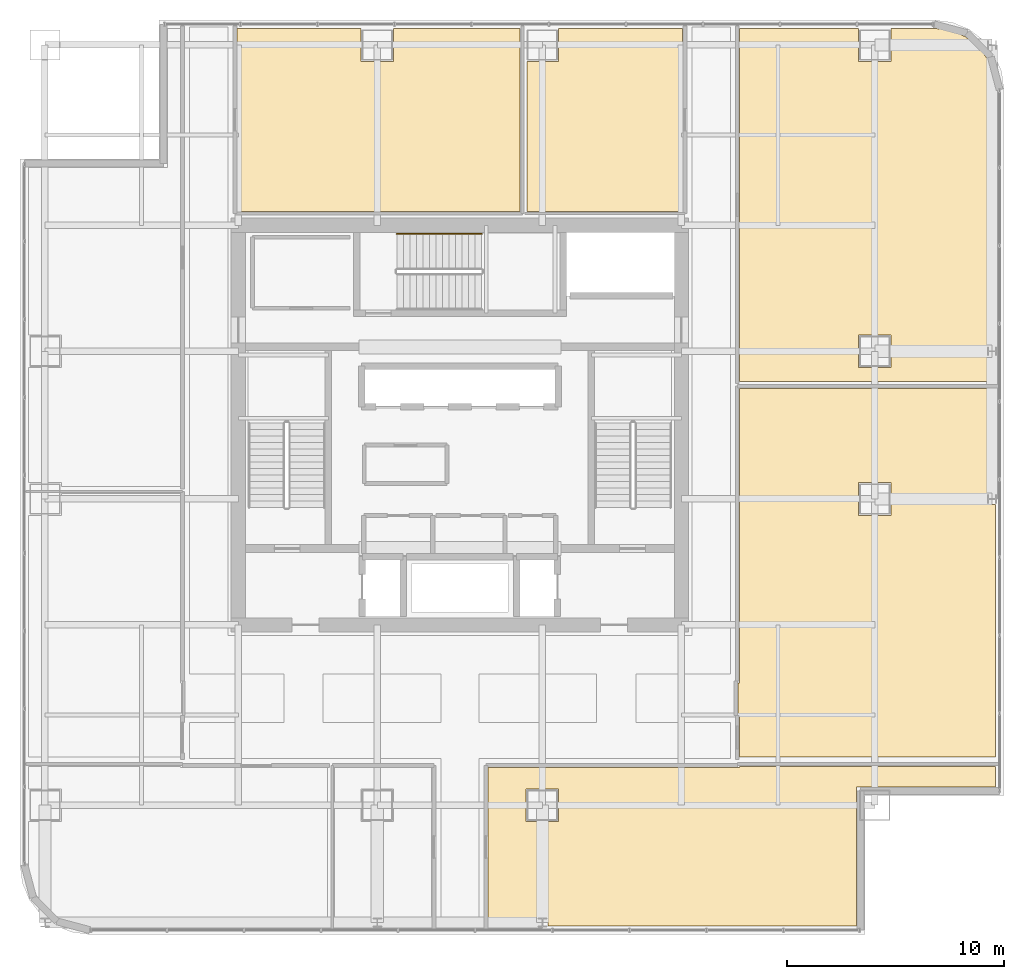
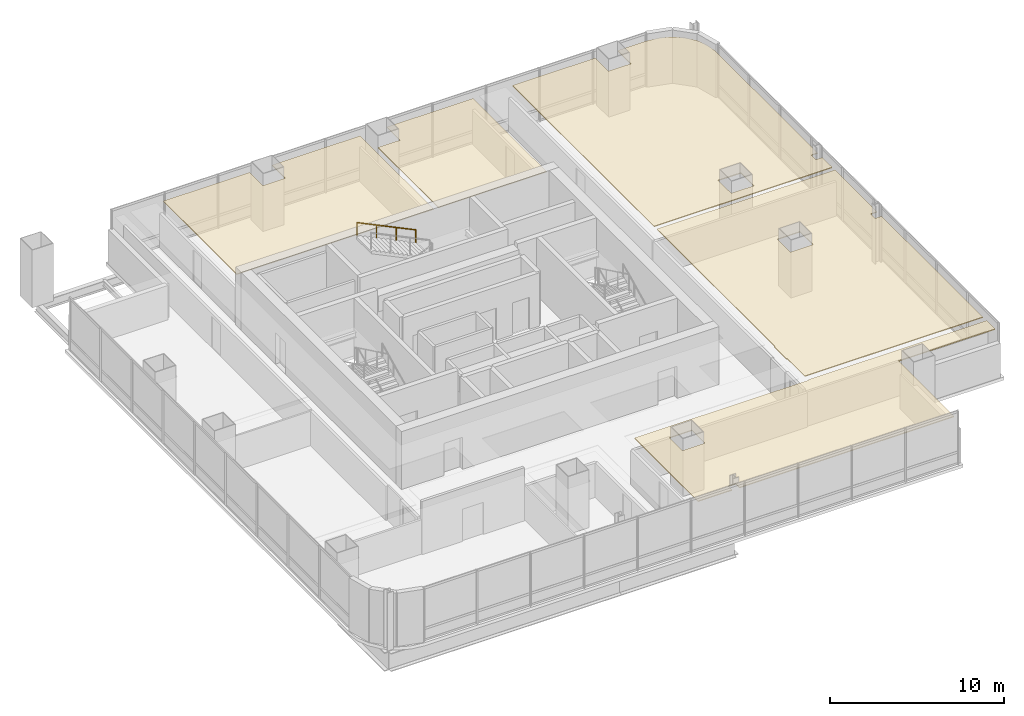
# One storey, part 35 of 35: 5 coverings, 1 railing.
"""IFC4 building model written with IfcOpenShell, lengths in metres."""

from ifc_helpers import new_model, si_unit, direction, frame, origin, origin_2d, place, context, subcontext, project, spatial, polyline, circle, outline, extrude, material, layer, layer_set, type_object, element, save


model = new_model("IFC4")

# Units and contexts
model_context = context("Model", 3, precision=1e-05, world=origin(), true_north=direction((0.0, 1.0)))
body_context = subcontext(model_context, "Body", "Model", "MODEL_VIEW")
ifc_project = project(units=[si_unit("LENGTHUNIT", "METRE"), si_unit("AREAUNIT", "SQUARE_METRE"), si_unit("VOLUMEUNIT", "CUBIC_METRE"), si_unit("PLANEANGLEUNIT", "RADIAN"), si_unit("MASSUNIT", "GRAM", prefix="KILO")], contexts=[model_context])

# Site, building, storey
site_placement = place(None, origin())
site = spatial("IfcSite", under=ifc_project, at=site_placement, CompositionType="ELEMENT")
building_placement = place(site_placement, origin())
building = spatial("IfcBuilding", under=site, at=building_placement, Name="Punatoya Terracotta Tower", CompositionType="ELEMENT")
storey_placement = place(building_placement, frame((0.0, 0.0, 232.949951171875)))
storey = spatial("IfcBuildingStorey", under=building, at=storey_placement, Name="L55", CompositionType="ELEMENT", Elevation=232.949951171875)

# Coverings
ifc_material_1 = material(Name="Acoustic Mineral Fibre Ceiling")
ifc_layer = layer(ifc_material_1, 0.06005859375)
ifc_layer_set = layer_set([ifc_layer], Name="Acoustic Mineral Fibre Ceiling")
covering_type = type_object("IfcCoveringType", Name="COV-CEIL-60", PredefinedType="CEILING", material=ifc_layer_set)
covering_1_placement = place(storey_placement, frame((0.0, 0.0, 3.2099609375)))
element("IfcCovering", 1, at=covering_1_placement, inside=storey, type_object=covering_type, Name="L55 Open-Plan Collaborative Workshop Room Acoustic Ceiling", PredefinedType="CEILING", context=body_context, shape_type="SweptSolid", body=[
    extrude(outline(polyline([(12.8701171875, -15.77001953125), (1.300048828125, -15.77001953125), (1.300048828125, -23.070068359375), (3.54541015625, -23.070068359375), (3.54541015625, -22.637451171875), (4.054443359375, -22.637451171875), (4.054443359375, -23.070068359375), (18.27001953125, -23.070068359375), (18.27001953125, -16.669921875), (24.669921875, -16.669921875), (24.669921875, -15.7099609375), (12.8701171875, -15.7099609375), (12.8701171875, -15.77001953125)]), holes=[polyline([(3.050048828125, -18.25), (3.050048828125, -16.75), (4.550048828125, -16.75), (4.550048828125, -18.25), (3.050048828125, -18.25)])]), origin(), (0.0, 0.0, 1.0), 0.06005859375),
])
covering_2_placement = place(storey_placement, frame((0.0, 0.0, 3.2099609375)))
element("IfcCovering", 2, at=covering_2_placement, inside=storey, type_object=covering_type, Name="L55 Breakout Tea Pantry Acoustic Ceiling", PredefinedType="CEILING", context=body_context, shape_type="SweptSolid", body=[
    extrude(outline(polyline([(12.81005859375, -13.280029296875), (12.8701171875, -13.280029296875), (12.8701171875, -15.2900390625), (24.669921875, -15.2900390625), (24.669921875, -3.66259765625), (24.24560546875, -3.66259765625), (24.24560546875, -3.137451171875), (24.669921875, -3.137451171875), (24.669921875, 1.68994140625), (12.8701171875, 1.68994140625), (12.8701171875, -11.8701171875), (12.81005859375, -11.8701171875), (12.81005859375, -13.280029296875)]), holes=[polyline([(19.85009765625, -2.64990234375), (19.85009765625, -4.14990234375), (18.35009765625, -4.14990234375), (18.35009765625, -2.64990234375), (19.85009765625, -2.64990234375)])]), origin(), (0.0, 0.0, 1.0), 0.06005859375),
])
covering_3_placement = place(storey_placement, frame((0.0, 0.0, 3.2099609375)))
element("IfcCovering", 3, at=covering_3_placement, inside=storey, type_object=covering_type, Name="L55 Wellness Focus Room Acoustic Ceiling", PredefinedType="CEILING", context=body_context, shape_type="SweptSolid", body=[
    extrude(outline(polyline([(12.8701171875, 18.27001953125), (12.8701171875, 2.010009765625), (24.669921875, 2.010009765625), (24.669921875, 3.137451171875), (24.24560546875, 3.137451171875), (24.24560546875, 3.66259765625), (24.669921875, 3.66259765625), (24.669921875, 15.425048828125), (24.57080078125, 16.178955078125), (24.289306640625, 16.8583984375), (23.841796875, 17.441650390625), (23.25830078125, 17.889404296875), (22.5791015625, 18.1708984375), (21.8251953125, 18.27001953125), (19.85009765625, 18.27001953125), (19.85009765625, 16.75), (18.35009765625, 16.75), (18.35009765625, 18.27001953125), (12.8701171875, 18.27001953125)]), holes=[polyline([(19.85009765625, 2.64990234375), (18.35009765625, 2.64990234375), (18.35009765625, 4.14990234375), (19.85009765625, 4.14990234375), (19.85009765625, 2.64990234375)])]), origin(), (0.0, 0.0, 1.0), 0.06005859375),
])
covering_4_placement = place(storey_placement, frame((0.0, 0.0, 3.2099609375)))
element("IfcCovering", 4, at=covering_4_placement, inside=storey, type_object=covering_type, Name="L55 Open-Plan Case-Study Classroom Acoustic Ceiling", PredefinedType="CEILING", context=body_context, shape_type="SweptSolid", body=[
    extrude(outline(polyline([(-4.550048828125, 18.27001953125), (-10.260009765625, 18.27001953125), (-10.260009765625, 9.840087890625), (2.77392578125, 9.840087890625), (2.77392578125, 18.27001953125), (-3.050048828125, 18.27001953125), (-3.050048828125, 16.75), (-4.550048828125, 16.75), (-4.550048828125, 18.27001953125)])), origin(), (0.0, 0.0, 1.0), 0.06005859375),
])
covering_5_placement = place(storey_placement, frame((0.0, 0.0, 3.2099609375)))
element("IfcCovering", 5, at=covering_5_placement, inside=storey, type_object=covering_type, Name="L55 Open-Plan Symposium Colloquium Room Acoustic Ceiling", PredefinedType="CEILING", context=body_context, shape_type="SweptSolid", body=[
    extrude(outline(polyline([(4.550048828125, 18.27001953125), (4.550048828125, 16.75), (3.093994140625, 16.75), (3.093994140625, 9.840087890625), (10.260009765625, 9.840087890625), (10.260009765625, 18.27001953125), (4.550048828125, 18.27001953125)])), origin(), (0.0, 0.0, 1.0), 0.06005859375),
])

# Railing
ifc_material_2 = material(Name="Steel S355", Category="steel")
railing_type = type_object("IfcRailingType", Name="RLG-HND-900", PredefinedType="HANDRAIL", material=ifc_material_2)
railing_placement = place(storey_placement, frame((1.0, 8.800048828125, 2.169677734375)))
element("IfcRailing", 6, at=railing_placement, inside=storey, type_object=railing_type, Name="L55 ST-3 stair handrail 2", PredefinedType="HANDRAIL", context=body_context, shape_type="SweptSolid", body=[
    extrude(circle(Radius=0.02392578125, at=origin_2d()), frame((0.0, 0.0, 0.8759765625), z_axis=(-0.900763166376, 0.0, 0.434310623978), x_axis=(0.0, -1.0, 0.0)), (0.0, 0.0, 1.0), 4.32958984375),
    extrude(circle(Radius=0.02099609375, at=origin_2d()), origin(), (0.0, 0.0, 1.0), 0.851806640625),
    extrude(circle(Radius=0.02099609375, at=origin_2d()), frame((-1.300048828125, 0.0, 0.626708984375)), (0.0, 0.0, 1.0), 0.851806640625),
    extrude(circle(Radius=0.02099609375, at=origin_2d()), frame((-2.599853515625, 0.0, 1.253662109375)), (0.0, 0.0, 1.0), 0.851806640625),
    extrude(circle(Radius=0.02099609375, at=origin_2d()), frame((-3.89990234375, 0.0, 1.88037109375)), (0.0, 0.0, 1.0), 0.851806640625),
])

save(model, "model.ifc")
